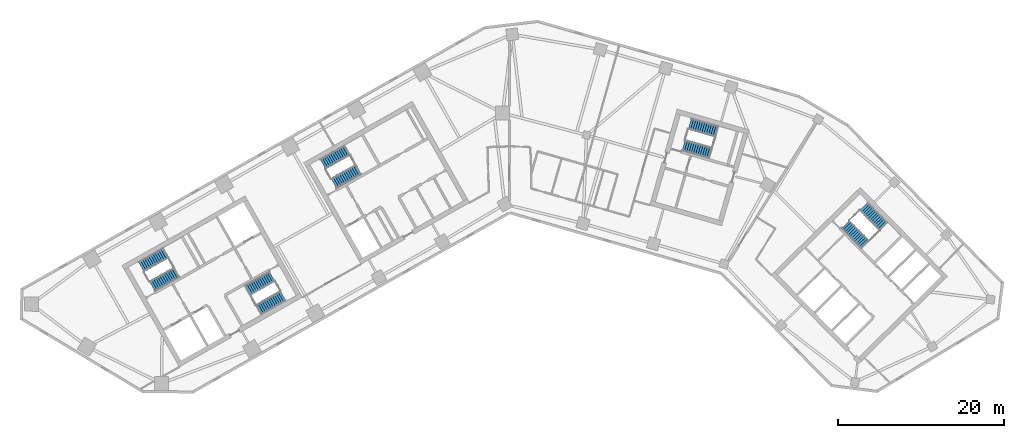
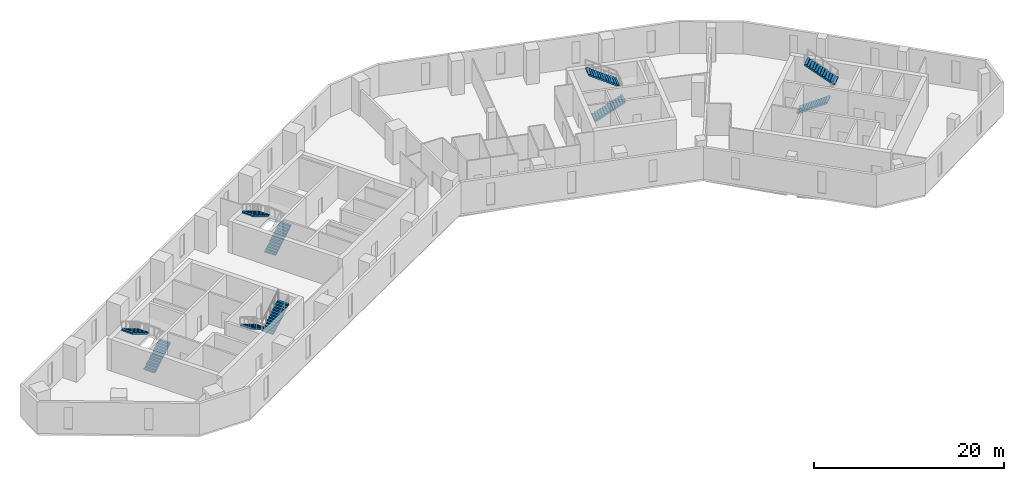
# One storey, part 8 of 10: 10 stair flights, 5 elements without a shape of their own.
"""IFC4 building model written with IfcOpenShell, lengths in metres."""

import ifcopenshell
import ifcopenshell.guid

model = None  # the IFC model being written
_history = None  # IfcOwnerHistory: only IFC2X3 demands one
_inside = {}  # id of a spatial element -> (the spatial element, [elements in it])
_under = {}  # id of a project, library or spatial element -> (it, [spatial elements below it])
_declared = {}  # id of a project -> (the project, [libraries it declares])
_typed = {}  # id of a type object -> (the type object, [elements of that type])
_made_of = {}  # id of a material, layer set ... -> (it, [elements and type objects made of it])


def new_model(schema):
    """Start an empty IFC model of exactly this schema.

    Asked for "IFC4X3", IfcOpenShell would pick the latest addendum, in which some entities
    have other attributes; the version numbers below select the first issue.
    IFC2X3 requires an IfcOwnerHistory on every rooted entity: one is made here for all.
    """
    global model, _history
    if schema == "IFC4X3":
        model = ifcopenshell.file(schema_version=(4, 3, 0, 0))
    else:
        model = ifcopenshell.file(schema=schema)
    _inside.clear()
    _under.clear()
    _declared.clear()
    _typed.clear()
    _made_of.clear()
    _history = None
    if model.schema == "IFC2X3":
        org = make("IfcOrganization", Name="unknown")
        user = make(
            "IfcPersonAndOrganization",
            ThePerson=make("IfcPerson", FamilyName="unknown"),
            TheOrganization=org,
        )
        app = make(
            "IfcApplication",
            ApplicationDeveloper=org,
            Version="unknown",
            ApplicationFullName="unknown",
            ApplicationIdentifier="unknown",
        )
        _history = make(
            "IfcOwnerHistory",
            OwningUser=user,
            OwningApplication=app,
            ChangeAction="ADDED",
            CreationDate=0,
        )
    return model


def make(cls, **values):
    """One entity of the class cls with the attributes given. An attribute that is None is left unset."""
    return model.create_entity(
        cls, **{name: value for name, value in values.items() if value is not None}
    )


def rooted(cls, **values):
    """An entity with a GlobalId (a new one), such as an element, a storey or a relation."""
    return make(cls, GlobalId=ifcopenshell.guid.new(), OwnerHistory=_history, **values)


def si_unit(unit_type, name, prefix=None):
    """IfcSIUnit, for example si_unit("LENGTHUNIT", "METRE", prefix="MILLI")."""
    return make("IfcSIUnit", UnitType=unit_type, Prefix=prefix, Name=name)


def assignment(units):
    """IfcUnitAssignment: the units of a project."""
    return None if units is None else make("IfcUnitAssignment", Units=units)


def point(xyz):
    """IfcCartesianPoint."""
    return None if xyz is None else make("IfcCartesianPoint", Coordinates=xyz)


def direction(xyz):
    """IfcDirection."""
    return None if xyz is None else make("IfcDirection", DirectionRatios=xyz)


def frame(location, z_axis=None, x_axis=None):
    """IfcAxis2Placement3D, a coordinate frame: its origin and axes. An axis left out is left unset."""
    return make(
        "IfcAxis2Placement3D",
        Location=point(location),
        Axis=direction(z_axis),
        RefDirection=direction(x_axis),
    )


def origin():
    """The frame at (0, 0, 0) with its axes left unset."""
    return frame((0.0, 0.0, 0.0))


def place(relative_to, where):
    """IfcLocalPlacement: puts the frame where relative to a parent placement (None: the world)."""
    return make(
        "IfcLocalPlacement", PlacementRelTo=relative_to, RelativePlacement=where
    )


def context(
    kind, dimensions, precision=None, world=None, true_north=None, identifier=None
):
    """IfcGeometricRepresentationContext, for example the 3D "Model" context."""
    return make(
        "IfcGeometricRepresentationContext",
        ContextIdentifier=identifier,
        ContextType=kind,
        CoordinateSpaceDimension=dimensions,
        Precision=precision,
        WorldCoordinateSystem=world,
        TrueNorth=true_north,
    )


def subcontext(parent, identifier, kind, view, scale=None):
    """IfcGeometricRepresentationSubContext, for example "Body" below "Model"."""
    return make(
        "IfcGeometricRepresentationSubContext",
        ContextIdentifier=identifier,
        ContextType=kind,
        ParentContext=parent,
        TargetScale=scale,
        TargetView=view,
    )


def project(units=None, contexts=None):
    """IfcProject with its units and contexts."""
    return rooted(
        "IfcProject",
        Name="project",
        RepresentationContexts=contexts,
        UnitsInContext=assignment(units),
    )


def spatial(cls, under=None, at=None, **own):
    """A site, building, storey or space (cls), placed at a placement, below another one or the project."""
    s = rooted(cls, ObjectPlacement=at, **own)
    if under is not None:
        _under.setdefault(under.id(), (under, []))[1].append(s)
    return s


def polyline(points):
    """IfcPolyline through the points."""
    return make("IfcPolyline", Points=[point(p) for p in points])


def outline(outer, holes=None, kind="AREA"):
    """IfcArbitraryClosedProfileDef: a profile drawn as a closed curve; with holes, ...WithVoids."""
    if holes is None:
        return make("IfcArbitraryClosedProfileDef", ProfileType=kind, OuterCurve=outer)
    return make(
        "IfcArbitraryProfileDefWithVoids",
        ProfileType=kind,
        OuterCurve=outer,
        InnerCurves=holes,
    )


def extrude(swept, where, along, depth):
    """IfcExtrudedAreaSolid: the profile swept, set in the frame where, extruded along a direction by depth."""
    return make(
        "IfcExtrudedAreaSolid",
        SweptArea=swept,
        Position=where,
        ExtrudedDirection=direction(along),
        Depth=depth,
    )


def shape(context_of_items, identifier, shape_type, items):
    """IfcShapeRepresentation: the items that make up one representation, for example the "Body"."""
    return make(
        "IfcShapeRepresentation",
        ContextOfItems=context_of_items,
        RepresentationIdentifier=identifier,
        RepresentationType=shape_type,
        Items=items,
    )


def material(Name=None, Category=None):
    """IfcMaterial."""
    return make("IfcMaterial", Name=Name, Category=Category)


def made_of(thing, what):
    """Note that an element or type object is made of a material, layer set ...; save() writes the relation."""
    if what is not None:
        _made_of.setdefault(what.id(), (what, []))[1].append(thing)
    return thing


def type_object(cls, material=None, **own):
    """A type object (cls), such as IfcWallType, which elements share."""
    return made_of(rooted(cls, **own), material)


def element(
    cls,
    number,
    at=None,
    inside=None,
    cuts=None,
    type_object=None,
    material=None,
    context=None,
    identifier="Body",
    shape_type=None,
    held_by="IfcProductDefinitionShape",
    body=None,
    shapes=None,
    **own,
):
    """One element of the class cls, such as IfcWall. Its Tag is "e" and its number.

    at: its placement. inside: the storey or other place that contains it. cuts: it is an
    opening in that element (IfcRelVoidsElement). A single representation is given by context,
    identifier, shape_type and body (its items); several are given by shapes. held_by: the class
    of the entity that holds the representations. save() writes the other relations.
    """
    e = rooted(cls, Tag="e%d" % number, ObjectPlacement=at, **own)
    if body is not None:
        shapes = [shape(context, identifier, shape_type, body)]
    if shapes is not None:
        e.Representation = make(held_by, Representations=shapes)
    if inside is not None:
        _inside.setdefault(inside.id(), (inside, []))[1].append(e)
    if cuts is not None:
        rooted(
            "IfcRelVoidsElement", RelatingBuildingElement=cuts, RelatedOpeningElement=e
        )
    if type_object is not None:
        _typed.setdefault(type_object.id(), (type_object, []))[1].append(e)
    return made_of(e, material)


def aggregate(whole, parts):
    """IfcRelAggregates: a whole, such as a stair, and the parts it consists of."""
    return rooted("IfcRelAggregates", RelatingObject=whole, RelatedObjects=parts)


def save(model, path):
    """Write the relations noted so far, then the file.

    IfcRelAggregates (storeys below a building ...), IfcRelContainedInSpatialStructure (elements
    in a storey), IfcRelDefinesByType, IfcRelAssociatesMaterial and IfcRelDeclares: one each for
    every whole, place, type object, material and project.
    """
    for whole, parts in _under.values():
        aggregate(whole, parts)
    for where, things in _inside.values():
        rooted(
            "IfcRelContainedInSpatialStructure",
            RelatedElements=things,
            RelatingStructure=where,
        )
    for kind, things in _typed.values():
        rooted("IfcRelDefinesByType", RelatedObjects=things, RelatingType=kind)
    for what, things in _made_of.values():
        rooted("IfcRelAssociatesMaterial", RelatedObjects=things, RelatingMaterial=what)
    for by, libraries in _declared.values():
        rooted("IfcRelDeclares", RelatingContext=by, RelatedDefinitions=libraries)
    model.write(path)


model = new_model("IFC4")

# Units and contexts
model_context = context("Model", 3, precision=1e-05, world=origin(), true_north=direction((0.0, 1.0)))
body_context = subcontext(model_context, "Body", "Model", "MODEL_VIEW")
ifc_project = project(units=[si_unit("LENGTHUNIT", "METRE"), si_unit("AREAUNIT", "SQUARE_METRE"), si_unit("VOLUMEUNIT", "CUBIC_METRE"), si_unit("PLANEANGLEUNIT", "RADIAN"), si_unit("MASSUNIT", "GRAM", prefix="KILO")], contexts=[model_context])

# Site, building, storey
site_placement = place(None, origin())
site = spatial("IfcSite", under=ifc_project, at=site_placement, CompositionType="ELEMENT")
building_placement = place(site_placement, origin())
building = spatial("IfcBuilding", under=site, at=building_placement, Name="Binnacle Exchange Tower", CompositionType="ELEMENT")
storey_placement = place(building_placement, frame((0.0, 0.0, 136.699951171875)))
storey = spatial("IfcBuildingStorey", under=building, at=storey_placement, Name="L28", CompositionType="ELEMENT", Elevation=136.699951171875)

# Stair, stair flights
ifc_material = material(Name="Concrete C35/45", Category="concrete")
stair_type = type_object("IfcStairType", Name="STAIR 26 RISERS 169", PredefinedType="HALF_TURN_STAIR", material=ifc_material)
stair_1_placement = place(storey_placement, origin())
stair_1 = element("IfcStair", 1, at=stair_1_placement, inside=storey, type_object=stair_type, Name="L28 Escape stair A1", PredefinedType="HALF_TURN_STAIR")
stair_flight_type = type_object("IfcStairFlightType", Name="STAIR FLIGHT 169X280", PredefinedType="STRAIGHT", material=ifc_material)
stair_flight_1_placement = place(storey_placement, frame((-42.9541015625, 39.17333984375, 0.0), z_axis=(0.0, 0.0, 1.0), x_axis=(0.870355584213, 0.492423757581, 0.0)))
stair_flight_1 = element("IfcStairFlight", 2, at=stair_flight_1_placement, type_object=stair_flight_type, Name="STA1 flight 1", NumberOfRisers=13, NumberOfTreads=12, PredefinedType="STRAIGHT", RiserHeight=0.169230769, TreadLength=0.28, context=body_context, shape_type="SweptSolid", body=[
    extrude(outline(polyline([(0.0, 0.0), (0.0, 0.169189453125), (0.280029296875, 0.169189453125), (0.280029296875, 0.33837890625), (0.56005859375, 0.33837890625), (0.56005859375, 0.5078125), (0.840087890625, 0.5078125), (0.840087890625, 0.677001953125), (1.1201171875, 0.677001953125), (1.1201171875, 0.84619140625), (1.39990234375, 0.84619140625), (1.39990234375, 1.015380859375), (1.679931640625, 1.015380859375), (1.679931640625, 1.1845703125), (1.9599609375, 1.1845703125), (1.9599609375, 1.353759765625), (2.239990234375, 1.353759765625), (2.239990234375, 1.523193359375), (2.52001953125, 1.523193359375), (2.52001953125, 1.6923828125), (2.800048828125, 1.6923828125), (2.800048828125, 1.861572265625), (3.080078125, 1.861572265625), (3.080078125, 2.03076171875), (3.360107421875, 2.03076171875), (3.360107421875, 2.199951171875), (3.360107421875, 1.855712890625), (0.289794921875, 0.0), (0.0, 0.0)])), frame((0.0, 0.675048828125, 0.0), z_axis=(0.0, -1.0, 0.0), x_axis=(1.0, 0.0, 0.0)), (0.0, 0.0, 1.0), 1.35009765625),
])
stair_flight_2_placement = place(storey_placement, frame((-41.359130859375, 43.177978515625, 2.199951171875), z_axis=(0.0, 0.0, 1.0), x_axis=(-0.870355584213, -0.492423757581, 0.0)))
stair_flight_2 = element("IfcStairFlight", 3, at=stair_flight_2_placement, type_object=stair_flight_type, Name="STA1 flight 2", NumberOfRisers=13, NumberOfTreads=12, PredefinedType="STRAIGHT", RiserHeight=0.169230769, TreadLength=0.28, context=body_context, shape_type="SweptSolid", body=[
    extrude(outline(polyline([(0.0, 0.0), (0.0, 0.169189453125), (0.280029296875, 0.169189453125), (0.280029296875, 0.33837890625), (0.56005859375, 0.33837890625), (0.56005859375, 0.5078125), (0.840087890625, 0.5078125), (0.840087890625, 0.677001953125), (1.1201171875, 0.677001953125), (1.1201171875, 0.84619140625), (1.39990234375, 0.84619140625), (1.39990234375, 1.015380859375), (1.679931640625, 1.015380859375), (1.679931640625, 1.1845703125), (1.9599609375, 1.1845703125), (1.9599609375, 1.353759765625), (2.239990234375, 1.353759765625), (2.239990234375, 1.523193359375), (2.52001953125, 1.523193359375), (2.52001953125, 1.6923828125), (2.800048828125, 1.6923828125), (2.800048828125, 1.861572265625), (3.080078125, 1.861572265625), (3.080078125, 2.03076171875), (3.360107421875, 2.03076171875), (3.360107421875, 2.199951171875), (3.360107421875, 1.855712890625), (0.289794921875, 0.0), (0.0, 0.0)])), frame((0.0, 0.675048828125, 0.0), z_axis=(0.0, -1.0, 0.0), x_axis=(1.0, 0.0, 0.0)), (0.0, 0.0, 1.0), 1.35009765625),
])
aggregate(stair_1, [stair_flight_1, stair_flight_2])

stair_2_placement = place(storey_placement, origin())
stair_2 = element("IfcStair", 4, at=stair_2_placement, inside=storey, type_object=stair_type, Name="L28 Escape stair A2", PredefinedType="HALF_TURN_STAIR")
stair_flight_3_placement = place(storey_placement, frame((-28.5732421875, 40.3583984375, 0.0), z_axis=(0.0, 0.0, 1.0), x_axis=(-0.870355584213, -0.492423757581, 0.0)))
stair_flight_3 = element("IfcStairFlight", 5, at=stair_flight_3_placement, type_object=stair_flight_type, Name="STA2 flight 1", NumberOfRisers=13, NumberOfTreads=12, PredefinedType="STRAIGHT", RiserHeight=0.169230769, TreadLength=0.28, context=body_context, shape_type="SweptSolid", body=[
    extrude(outline(polyline([(0.0, 0.0), (0.0, 0.169189453125), (0.280029296875, 0.169189453125), (0.280029296875, 0.33837890625), (0.56005859375, 0.33837890625), (0.56005859375, 0.5078125), (0.840087890625, 0.5078125), (0.840087890625, 0.677001953125), (1.1201171875, 0.677001953125), (1.1201171875, 0.84619140625), (1.39990234375, 0.84619140625), (1.39990234375, 1.015380859375), (1.679931640625, 1.015380859375), (1.679931640625, 1.1845703125), (1.9599609375, 1.1845703125), (1.9599609375, 1.353759765625), (2.239990234375, 1.353759765625), (2.239990234375, 1.523193359375), (2.52001953125, 1.523193359375), (2.52001953125, 1.6923828125), (2.800048828125, 1.6923828125), (2.800048828125, 1.861572265625), (3.080078125, 1.861572265625), (3.080078125, 2.03076171875), (3.360107421875, 2.03076171875), (3.360107421875, 2.199951171875), (3.360107421875, 1.855712890625), (0.289794921875, 0.0), (0.0, 0.0)])), frame((0.0, 0.675048828125, 0.0), z_axis=(0.0, -1.0, 0.0), x_axis=(1.0, 0.0, 0.0)), (0.0, 0.0, 1.0), 1.35009765625),
])
stair_flight_4_placement = place(storey_placement, frame((-30.16796875, 36.35400390625, 2.199951171875), z_axis=(0.0, 0.0, 1.0), x_axis=(0.870355584213, 0.492423757581, 0.0)))
stair_flight_4 = element("IfcStairFlight", 6, at=stair_flight_4_placement, type_object=stair_flight_type, Name="STA2 flight 2", NumberOfRisers=13, NumberOfTreads=12, PredefinedType="STRAIGHT", RiserHeight=0.169230769, TreadLength=0.28, context=body_context, shape_type="SweptSolid", body=[
    extrude(outline(polyline([(0.0, 0.0), (0.0, 0.169189453125), (0.280029296875, 0.169189453125), (0.280029296875, 0.33837890625), (0.56005859375, 0.33837890625), (0.56005859375, 0.5078125), (0.840087890625, 0.5078125), (0.840087890625, 0.677001953125), (1.1201171875, 0.677001953125), (1.1201171875, 0.84619140625), (1.39990234375, 0.84619140625), (1.39990234375, 1.015380859375), (1.679931640625, 1.015380859375), (1.679931640625, 1.1845703125), (1.9599609375, 1.1845703125), (1.9599609375, 1.353759765625), (2.239990234375, 1.353759765625), (2.239990234375, 1.523193359375), (2.52001953125, 1.523193359375), (2.52001953125, 1.6923828125), (2.800048828125, 1.6923828125), (2.800048828125, 1.861572265625), (3.080078125, 1.861572265625), (3.080078125, 2.03076171875), (3.360107421875, 2.03076171875), (3.360107421875, 2.199951171875), (3.360107421875, 1.855712890625), (0.289794921875, 0.0), (0.0, 0.0)])), frame((0.0, 0.675048828125, 0.0), z_axis=(0.0, -1.0, 0.0), x_axis=(1.0, 0.0, 0.0)), (0.0, 0.0, 1.0), 1.35009765625),
])
aggregate(stair_2, [stair_flight_3, stair_flight_4])

stair_3_placement = place(storey_placement, origin())
stair_3 = element("IfcStair", 7, at=stair_3_placement, inside=storey, type_object=stair_type, Name="L28 Escape stair B1", PredefinedType="HALF_TURN_STAIR")
stair_flight_5_placement = place(storey_placement, frame((40.376708984375, 46.608642578125, 0.0), z_axis=(0.0, 0.0, 1.0), x_axis=(0.70090935144, -0.713250363522, 0.0)))
stair_flight_5 = element("IfcStairFlight", 8, at=stair_flight_5_placement, type_object=stair_flight_type, Name="STB1 flight 1", NumberOfRisers=13, NumberOfTreads=12, PredefinedType="STRAIGHT", RiserHeight=0.169230769, TreadLength=0.28, context=body_context, shape_type="SweptSolid", body=[
    extrude(outline(polyline([(0.0, 0.0), (0.0, 0.169189453125), (0.280029296875, 0.169189453125), (0.280029296875, 0.33837890625), (0.56005859375, 0.33837890625), (0.56005859375, 0.5078125), (0.840087890625, 0.5078125), (0.840087890625, 0.677001953125), (1.1201171875, 0.677001953125), (1.1201171875, 0.84619140625), (1.39990234375, 0.84619140625), (1.39990234375, 1.015380859375), (1.679931640625, 1.015380859375), (1.679931640625, 1.1845703125), (1.9599609375, 1.1845703125), (1.9599609375, 1.353759765625), (2.239990234375, 1.353759765625), (2.239990234375, 1.523193359375), (2.52001953125, 1.523193359375), (2.52001953125, 1.6923828125), (2.800048828125, 1.6923828125), (2.800048828125, 1.861572265625), (3.080078125, 1.861572265625), (3.080078125, 2.03076171875), (3.360107421875, 2.03076171875), (3.360107421875, 2.199951171875), (3.360107421875, 1.855712890625), (0.289794921875, 0.0), (0.0, 0.0)])), frame((0.0, 0.675048828125, 0.0), z_axis=(0.0, -1.0, 0.0), x_axis=(1.0, 0.0, 0.0)), (0.0, 0.0, 1.0), 1.35009765625),
])
stair_flight_6_placement = place(storey_placement, frame((44.94287109375, 46.385009765625, 2.199951171875), z_axis=(0.0, 0.0, 1.0), x_axis=(-0.70090935144, 0.713250363522, 0.0)))
stair_flight_6 = element("IfcStairFlight", 9, at=stair_flight_6_placement, type_object=stair_flight_type, Name="STB1 flight 2", NumberOfRisers=13, NumberOfTreads=12, PredefinedType="STRAIGHT", RiserHeight=0.169230769, TreadLength=0.28, context=body_context, shape_type="SweptSolid", body=[
    extrude(outline(polyline([(0.0, 0.0), (0.0, 0.169189453125), (0.280029296875, 0.169189453125), (0.280029296875, 0.33837890625), (0.56005859375, 0.33837890625), (0.56005859375, 0.5078125), (0.840087890625, 0.5078125), (0.840087890625, 0.677001953125), (1.1201171875, 0.677001953125), (1.1201171875, 0.84619140625), (1.39990234375, 0.84619140625), (1.39990234375, 1.015380859375), (1.679931640625, 1.015380859375), (1.679931640625, 1.1845703125), (1.9599609375, 1.1845703125), (1.9599609375, 1.353759765625), (2.239990234375, 1.353759765625), (2.239990234375, 1.523193359375), (2.52001953125, 1.523193359375), (2.52001953125, 1.6923828125), (2.800048828125, 1.6923828125), (2.800048828125, 1.861572265625), (3.080078125, 1.861572265625), (3.080078125, 2.03076171875), (3.360107421875, 2.03076171875), (3.360107421875, 2.199951171875), (3.360107421875, 1.855712890625), (0.289794921875, 0.0), (0.0, 0.0)])), frame((0.0, 0.675048828125, 0.0), z_axis=(0.0, -1.0, 0.0), x_axis=(1.0, 0.0, 0.0)), (0.0, 0.0, 1.0), 1.35009765625),
])
aggregate(stair_3, [stair_flight_5, stair_flight_6])

stair_4_placement = place(storey_placement, origin())
stair_4 = element("IfcStair", 10, at=stair_4_placement, inside=storey, type_object=stair_type, Name="L28 Escape stair C1", PredefinedType="HALF_TURN_STAIR")
stair_flight_7_placement = place(storey_placement, frame((-21.115966796875, 51.528564453125, 0.0), z_axis=(0.0, 0.0, 1.0), x_axis=(0.870355584213, 0.492423757581, 0.0)))
stair_flight_7 = element("IfcStairFlight", 11, at=stair_flight_7_placement, type_object=stair_flight_type, Name="STC1 flight 1", NumberOfRisers=13, NumberOfTreads=12, PredefinedType="STRAIGHT", RiserHeight=0.169230769, TreadLength=0.28, context=body_context, shape_type="SweptSolid", body=[
    extrude(outline(polyline([(0.0, 0.0), (0.0, 0.169189453125), (0.280029296875, 0.169189453125), (0.280029296875, 0.33837890625), (0.56005859375, 0.33837890625), (0.56005859375, 0.5078125), (0.840087890625, 0.5078125), (0.840087890625, 0.677001953125), (1.1201171875, 0.677001953125), (1.1201171875, 0.84619140625), (1.39990234375, 0.84619140625), (1.39990234375, 1.015380859375), (1.679931640625, 1.015380859375), (1.679931640625, 1.1845703125), (1.9599609375, 1.1845703125), (1.9599609375, 1.353759765625), (2.239990234375, 1.353759765625), (2.239990234375, 1.523193359375), (2.52001953125, 1.523193359375), (2.52001953125, 1.6923828125), (2.800048828125, 1.6923828125), (2.800048828125, 1.861572265625), (3.080078125, 1.861572265625), (3.080078125, 2.03076171875), (3.360107421875, 2.03076171875), (3.360107421875, 2.199951171875), (3.360107421875, 1.855712890625), (0.289794921875, 0.0), (0.0, 0.0)])), frame((0.0, 0.675048828125, 0.0), z_axis=(0.0, -1.0, 0.0), x_axis=(1.0, 0.0, 0.0)), (0.0, 0.0, 1.0), 1.35009765625),
])
stair_flight_8_placement = place(storey_placement, frame((-19.521240234375, 55.533203125, 2.199951171875), z_axis=(0.0, 0.0, 1.0), x_axis=(-0.870355584213, -0.492423757581, 0.0)))
stair_flight_8 = element("IfcStairFlight", 12, at=stair_flight_8_placement, type_object=stair_flight_type, Name="STC1 flight 2", NumberOfRisers=13, NumberOfTreads=12, PredefinedType="STRAIGHT", RiserHeight=0.169230769, TreadLength=0.28, context=body_context, shape_type="SweptSolid", body=[
    extrude(outline(polyline([(0.0, 0.0), (0.0, 0.169189453125), (0.280029296875, 0.169189453125), (0.280029296875, 0.33837890625), (0.56005859375, 0.33837890625), (0.56005859375, 0.5078125), (0.840087890625, 0.5078125), (0.840087890625, 0.677001953125), (1.1201171875, 0.677001953125), (1.1201171875, 0.84619140625), (1.39990234375, 0.84619140625), (1.39990234375, 1.015380859375), (1.679931640625, 1.015380859375), (1.679931640625, 1.1845703125), (1.9599609375, 1.1845703125), (1.9599609375, 1.353759765625), (2.239990234375, 1.353759765625), (2.239990234375, 1.523193359375), (2.52001953125, 1.523193359375), (2.52001953125, 1.6923828125), (2.800048828125, 1.6923828125), (2.800048828125, 1.861572265625), (3.080078125, 1.861572265625), (3.080078125, 2.03076171875), (3.360107421875, 2.03076171875), (3.360107421875, 2.199951171875), (3.360107421875, 1.855712890625), (0.289794921875, 0.0), (0.0, 0.0)])), frame((0.0, 0.675048828125, 0.0), z_axis=(0.0, -1.0, 0.0), x_axis=(1.0, 0.0, 0.0)), (0.0, 0.0, 1.0), 1.35009765625),
])
aggregate(stair_4, [stair_flight_7, stair_flight_8])

stair_5_placement = place(storey_placement, origin())
stair_5 = element("IfcStair", 13, at=stair_5_placement, inside=storey, type_object=stair_type, Name="L28 Escape stair D1", PredefinedType="HALF_TURN_STAIR")
stair_flight_9_placement = place(storey_placement, frame((20.914306640625, 56.109619140625, 0.0), z_axis=(0.0, 0.0, 1.0), x_axis=(0.961261811397, -0.275636953165, 0.0)))
stair_flight_9 = element("IfcStairFlight", 14, at=stair_flight_9_placement, type_object=stair_flight_type, Name="STD1 flight 1", NumberOfRisers=13, NumberOfTreads=12, PredefinedType="STRAIGHT", RiserHeight=0.169230769, TreadLength=0.28, context=body_context, shape_type="SweptSolid", body=[
    extrude(outline(polyline([(0.0, 0.0), (0.0, 0.169189453125), (0.280029296875, 0.169189453125), (0.280029296875, 0.33837890625), (0.56005859375, 0.33837890625), (0.56005859375, 0.5078125), (0.840087890625, 0.5078125), (0.840087890625, 0.677001953125), (1.1201171875, 0.677001953125), (1.1201171875, 0.84619140625), (1.39990234375, 0.84619140625), (1.39990234375, 1.015380859375), (1.679931640625, 1.015380859375), (1.679931640625, 1.1845703125), (1.9599609375, 1.1845703125), (1.9599609375, 1.353759765625), (2.239990234375, 1.353759765625), (2.239990234375, 1.523193359375), (2.52001953125, 1.523193359375), (2.52001953125, 1.6923828125), (2.800048828125, 1.6923828125), (2.800048828125, 1.861572265625), (3.080078125, 1.861572265625), (3.080078125, 2.03076171875), (3.360107421875, 2.03076171875), (3.360107421875, 2.199951171875), (3.360107421875, 1.855712890625), (0.289794921875, 0.0), (0.0, 0.0)])), frame((0.0, 0.675048828125, 0.0), z_axis=(0.0, -1.0, 0.0), x_axis=(1.0, 0.0, 0.0)), (0.0, 0.0, 1.0), 1.35009765625),
])
stair_flight_10_placement = place(storey_placement, frame((24.888427734375, 57.77880859375, 2.199951171875), z_axis=(0.0, 0.0, 1.0), x_axis=(-0.961261811397, 0.275636953165, 0.0)))
stair_flight_10 = element("IfcStairFlight", 15, at=stair_flight_10_placement, type_object=stair_flight_type, Name="STD1 flight 2", NumberOfRisers=13, NumberOfTreads=12, PredefinedType="STRAIGHT", RiserHeight=0.169230769, TreadLength=0.28, context=body_context, shape_type="SweptSolid", body=[
    extrude(outline(polyline([(0.0, 0.0), (0.0, 0.169189453125), (0.280029296875, 0.169189453125), (0.280029296875, 0.33837890625), (0.56005859375, 0.33837890625), (0.56005859375, 0.5078125), (0.840087890625, 0.5078125), (0.840087890625, 0.677001953125), (1.1201171875, 0.677001953125), (1.1201171875, 0.84619140625), (1.39990234375, 0.84619140625), (1.39990234375, 1.015380859375), (1.679931640625, 1.015380859375), (1.679931640625, 1.1845703125), (1.9599609375, 1.1845703125), (1.9599609375, 1.353759765625), (2.239990234375, 1.353759765625), (2.239990234375, 1.523193359375), (2.52001953125, 1.523193359375), (2.52001953125, 1.6923828125), (2.800048828125, 1.6923828125), (2.800048828125, 1.861572265625), (3.080078125, 1.861572265625), (3.080078125, 2.03076171875), (3.360107421875, 2.03076171875), (3.360107421875, 2.199951171875), (3.360107421875, 1.855712890625), (0.289794921875, 0.0), (0.0, 0.0)])), frame((0.0, 0.675048828125, 0.0), z_axis=(0.0, -1.0, 0.0), x_axis=(1.0, 0.0, 0.0)), (0.0, 0.0, 1.0), 1.35009765625),
])
aggregate(stair_5, [stair_flight_9, stair_flight_10])

save(model, "model.ifc")
